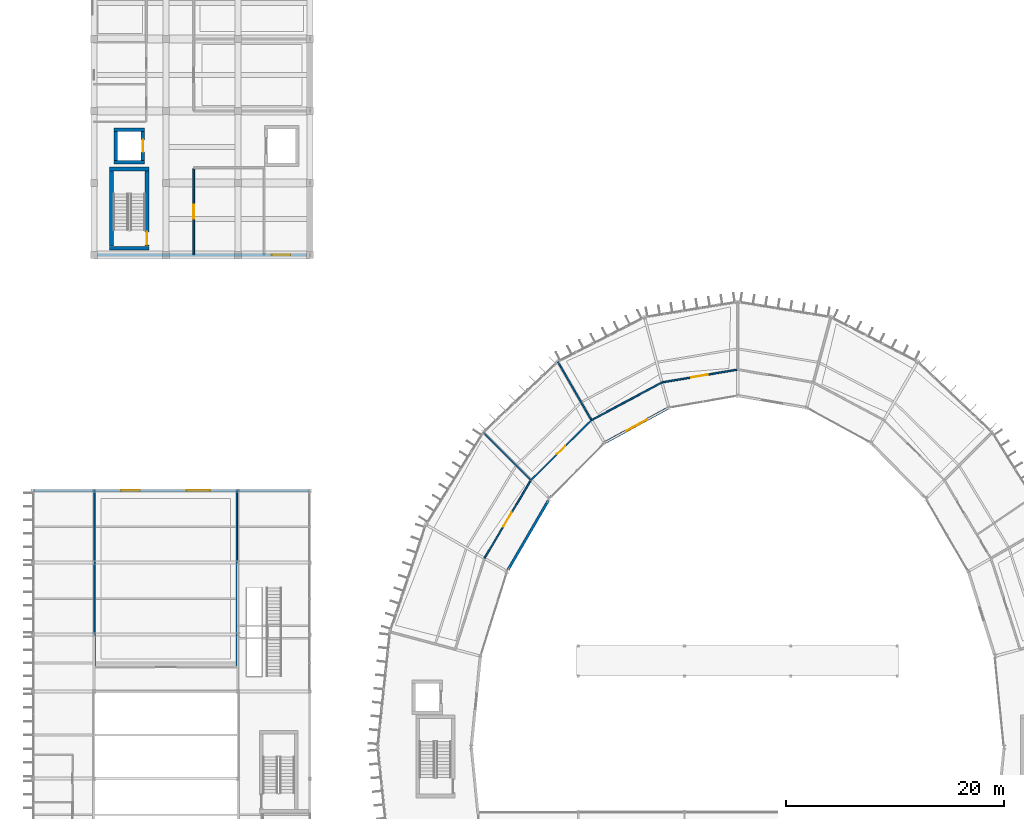
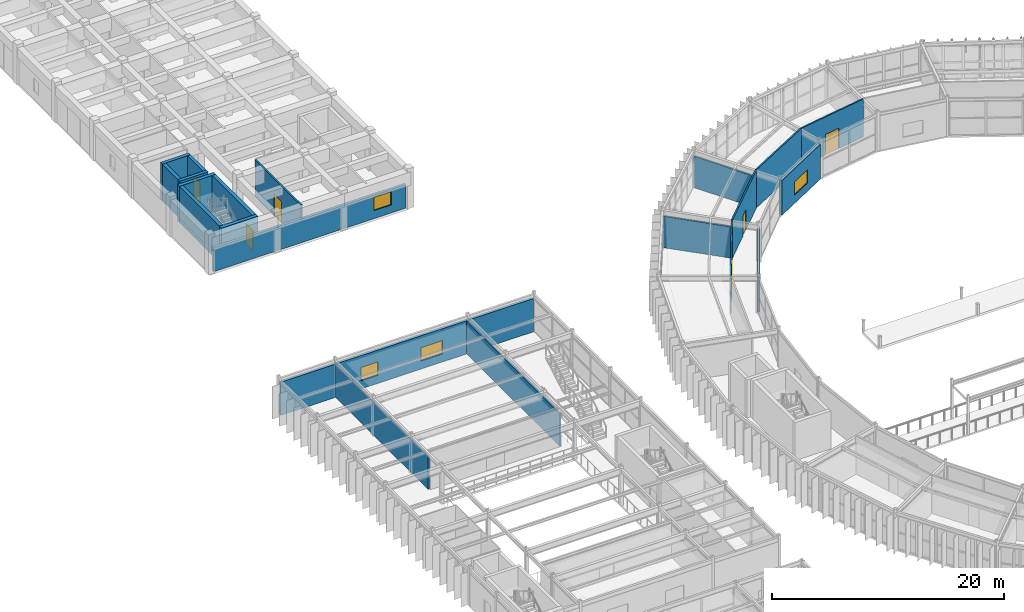
# One storey, part 127 of 147: 21 walls, 6 doors, 4 windows, 10 openings.
"""IFC4 building model written with IfcOpenShell, lengths in metres."""

from ifc_helpers import new_model, si_unit, direction, frame, frame_2d, origin, place, context, subcontext, project, spatial, rectangle, extrude, material, layer, layer_set, type_object, element, fill, save


model = new_model("IFC4")

# Units and contexts
model_context = context("Model", 3, precision=1e-05, world=origin(), true_north=direction((0.0, 1.0)))
body_context = subcontext(model_context, "Body", "Model", "MODEL_VIEW")
ifc_project = project(units=[si_unit("LENGTHUNIT", "METRE"), si_unit("AREAUNIT", "SQUARE_METRE"), si_unit("VOLUMEUNIT", "CUBIC_METRE"), si_unit("PLANEANGLEUNIT", "RADIAN"), si_unit("MASSUNIT", "GRAM", prefix="KILO")], contexts=[model_context])

# Site, building, storey
site_placement = place(None, origin())
site = spatial("IfcSite", under=ifc_project, at=site_placement, CompositionType="ELEMENT")
building_placement = place(site_placement, origin())
building = spatial("IfcBuilding", under=site, at=building_placement, Name="Karori Crest Natural Sciences Institute", CompositionType="ELEMENT")
storey_placement = place(building_placement, frame((0.0, 0.0, 9.10009765625)))
storey = spatial("IfcBuildingStorey", under=building, at=storey_placement, Name="L02", CompositionType="ELEMENT", Elevation=9.10009765625)

# Walls
ifc_material_1 = material(Name="Concrete 50 MPa", Category="concrete")
ifc_layer_1 = layer(ifc_material_1, 0.35009765625, Name="Concrete 50 MPa")
ifc_layer_set_1 = layer_set([ifc_layer_1], Name="Concrete 50 MPa")
wall_type_1 = type_object("IfcWallType", Name="IWT-02", PredefinedType="SHEAR", material=ifc_layer_set_1)
for number, where, z_axis, x_axis, name in (
    (1, (8.85009765625, 95.625, 0.0), (0.0, 0.0, 1.0), (1.0, 0.0, 0.0), "Shear wall IW-0177"),
    (2, (8.85009765625, 102.875, 0.0), (0.0, 0.0, 1.0), (1.0, 0.0, 0.0), "Shear wall IW-0178"),
):
    element("IfcWall", number, at=place(storey_placement, frame(where, z_axis=z_axis, x_axis=x_axis)), inside=storey, type_object=wall_type_1, Name=name, PredefinedType="SHEAR", context=body_context, shape_type="SweptSolid", body=[
        extrude(rectangle(XDim=3.599853515625, YDim=0.35009765625, at=frame_2d((1.7998046875, 0.0))), origin(), (0.0, 0.0, 1.0), 3.849853515625),
    ])
wall_1_placement = place(storey_placement, frame((9.02490234375, 95.802001953125, 0.0), z_axis=(0.0, 0.0, 1.0), x_axis=(0.0, 1.0, 0.0)))
element("IfcWall", 3, at=wall_1_placement, inside=storey, type_object=wall_type_1, Name="Shear wall IW-0179", PredefinedType="SHEAR", context=body_context, shape_type="SweptSolid", body=[
    extrude(rectangle(XDim=6.89599609375, YDim=0.35009765625, at=frame_2d((3.447998046875, 0.0))), origin(), (0.0, 0.0, 1.0), 3.849853515625),
])

# Wall, opening, door
wall_2_placement = place(storey_placement, frame((12.27490234375, 95.802001953125, 0.0), z_axis=(0.0, 0.0, 1.0), x_axis=(0.0, 1.0, 0.0)))
wall_2 = element("IfcWall", 4, at=wall_2_placement, inside=storey, type_object=wall_type_1, Name="Shear wall IW-0180", PredefinedType="SHEAR", context=body_context, shape_type="SweptSolid", body=[
    extrude(rectangle(XDim=6.89599609375, YDim=0.35009765625, at=frame_2d((3.447998046875, 0.0))), origin(), (0.0, 0.0, 1.0), 3.849853515625),
])
opening_1_placement = place(wall_2_placement, frame((0.1201171875, 0.0, 0.0)))
opening_1 = element("IfcOpeningElement", 5, at=opening_1_placement, cuts=wall_2, Name="Opening ID-0045", PredefinedType="OPENING", context=body_context, shape_type="SweptSolid", body=[
    extrude(rectangle(XDim=1.199951171875, YDim=2.14990234375, at=frame_2d((0.60009765625, 1.074951171875))), frame((0.0, 0.18505859375, 0.0), z_axis=(0.0, -1.0, 0.0), x_axis=(1.0, 0.0, 0.0)), (0.0, 0.0, 1.0), 0.3701171875),
])
ifc_material_2 = material(Name="Stainless steel 316 and fire-rated timber", Category="steel")
door_type_1 = type_object("IfcDoorType", Name="IDT-01", OperationType="NOTDEFINED", PredefinedType="DOOR", material=ifc_material_2)
door_1_placement = place(opening_1_placement, origin())
door_1 = element("IfcDoor", 6, at=door_1_placement, inside=storey, type_object=door_type_1, Name="Stair ST-05 fire door ID-0045", OperationType="SINGLE_SWING_LEFT", OverallHeight=2.14990234375, OverallWidth=1.199951171875, PredefinedType="DOOR", context=body_context, shape_type="SweptSolid", body=[
    extrude(rectangle(XDim=1.199951171875, YDim=2.14990234375, at=frame_2d((0.60009765625, 1.074951171875))), frame((0.0, 0.02490234375, 0.0), z_axis=(0.0, -1.0, 0.0), x_axis=(1.0, 0.0, 0.0)), (0.0, 0.0, 1.0), 0.050048828125),
])
fill(opening_1, door_1)

# Walls
ifc_layer_2 = layer(ifc_material_1, 0.320068359375, Name="Concrete 50 MPa")
ifc_layer_set_2 = layer_set([ifc_layer_2], Name="Concrete 50 MPa")
wall_type_2 = type_object("IfcWallType", Name="IWT-03", PredefinedType="SHEAR", material=ifc_layer_set_2)
for number, where, z_axis, x_axis, name in (
    (7, (9.2451171875, 103.5048828125, 0.0), (0.0, 0.0, 1.0), (1.0, 0.0, 0.0), "Shear wall IW-0499"),
    (8, (9.2451171875, 106.4951171875, 0.0), (0.0, 0.0, 1.0), (1.0, 0.0, 0.0), "Shear wall IW-0500"),
):
    element("IfcWall", number, at=place(storey_placement, frame(where, z_axis=z_axis, x_axis=x_axis)), inside=storey, type_object=wall_type_2, Name=name, PredefinedType="SHEAR", context=body_context, shape_type="SweptSolid", body=[
        extrude(rectangle(XDim=2.809814453125, YDim=0.320068359375, at=frame_2d((1.40478515625, 0.0))), origin(), (0.0, 0.0, 1.0), 3.849853515625),
    ])
wall_3_placement = place(storey_placement, frame((9.405029296875, 103.6669921875, 0.0), z_axis=(0.0, 0.0, 1.0), x_axis=(0.0, 1.0, 0.0)))
element("IfcWall", 9, at=wall_3_placement, inside=storey, type_object=wall_type_2, Name="Shear wall IW-0501", PredefinedType="SHEAR", context=body_context, shape_type="SweptSolid", body=[
    extrude(rectangle(XDim=2.666015625, YDim=0.320068359375, at=frame_2d((1.3330078125, 0.0))), origin(), (0.0, 0.0, 1.0), 3.849853515625),
])

# Wall, opening, door
wall_4_placement = place(storey_placement, frame((11.89501953125, 103.6669921875, 0.0), z_axis=(0.0, 0.0, 1.0), x_axis=(0.0, 1.0, 0.0)))
wall_4 = element("IfcWall", 10, at=wall_4_placement, inside=storey, type_object=wall_type_2, Name="Shear wall IW-0502", PredefinedType="SHEAR", context=body_context, shape_type="SweptSolid", body=[
    extrude(rectangle(XDim=2.666015625, YDim=0.320068359375, at=frame_2d((1.3330078125, 0.0))), origin(), (0.0, 0.0, 1.0), 3.849853515625),
])
opening_2_placement = place(wall_4_placement, frame((0.782958984375, 0.0, 0.0)))
opening_2 = element("IfcOpeningElement", 11, at=opening_2_placement, cuts=wall_4, Name="Opening LD-0051", PredefinedType="OPENING", context=body_context, shape_type="SweptSolid", body=[
    extrude(rectangle(XDim=1.10009765625, YDim=2.14990234375, at=frame_2d((0.550048828125, 1.074951171875))), frame((0.0, 0.169921875, 0.0), z_axis=(0.0, -1.0, 0.0), x_axis=(1.0, 0.0, 0.0)), (0.0, 0.0, 1.0), 0.340087890625),
])
door_type_2 = type_object("IfcDoorType", Name="LDT-01", OperationType="SLIDING_TO_LEFT", PredefinedType="DOOR", material=ifc_material_2)
door_2_placement = place(opening_2_placement, origin())
door_2 = element("IfcDoor", 12, at=door_2_placement, inside=storey, type_object=door_type_2, Name="Lift LP-04 landing door LD-0051", OperationType="SLIDING_TO_LEFT", OverallHeight=2.14990234375, OverallWidth=1.10009765625, PredefinedType="DOOR", context=body_context, shape_type="SweptSolid", body=[
    extrude(rectangle(XDim=1.10009765625, YDim=2.14990234375, at=frame_2d((0.550048828125, 1.074951171875))), frame((0.0, 0.02490234375, 0.0), z_axis=(0.0, -1.0, 0.0), x_axis=(1.0, 0.0, 0.0)), (0.0, 0.0, 1.0), 0.050048828125),
])
fill(opening_2, door_2)

ifc_material_3 = material(Name="Clean-room insulated fire partition")
ifc_layer_3 = layer(ifc_material_3, 0.14990234375, Name="Clean-room insulated fire partition")
ifc_layer_set_3 = layer_set([ifc_layer_3], Name="Clean-room insulated fire partition")
wall_type_3 = type_object("IfcWallType", Name="IWT-06", PredefinedType="PARTITIONING", material=ifc_layer_set_3)
wall_5_placement = place(storey_placement, frame((16.550048828125, 95.0, 0.0), z_axis=(0.0, 0.0, 1.0), x_axis=(0.0, 1.0, 0.0)))
wall_5 = element("IfcWall", 13, at=wall_5_placement, inside=storey, type_object=wall_type_3, Name="Partition wall IW-0970", PredefinedType="PARTITIONING", context=body_context, shape_type="SweptSolid", body=[
    extrude(rectangle(XDim=7.923095703125, YDim=0.14990234375, at=frame_2d((3.96142578125, 0.0))), origin(), (0.0, 0.0, 1.0), 3.849853515625),
])
opening_3_placement = place(wall_5_placement, frame((3.3115234375, 0.0, 0.0)))
opening_3 = element("IfcOpeningElement", 14, at=opening_3_placement, cuts=wall_5, Name="Opening ID-0257", PredefinedType="OPENING", context=body_context, shape_type="SweptSolid", body=[
    extrude(rectangle(XDim=1.300048828125, YDim=2.199951171875, at=frame_2d((0.64990234375, 1.10009765625))), frame((0.0, 0.0849609375, 0.0), z_axis=(0.0, -1.0, 0.0), x_axis=(1.0, 0.0, 0.0)), (0.0, 0.0, 1.0), 0.169921875),
])
door_type_3 = type_object("IfcDoorType", Name="IDT-04", OperationType="NOTDEFINED", PredefinedType="DOOR", material=ifc_material_2)
door_3_placement = place(opening_3_placement, origin())
door_3 = element("IfcDoor", 15, at=door_3_placement, inside=storey, type_object=door_type_3, Name="ISO Class 5 Lithography Clean Room door ID-0257", OperationType="SINGLE_SWING_LEFT", OverallHeight=2.199951171875, OverallWidth=1.300048828125, PredefinedType="DOOR", context=body_context, shape_type="SweptSolid", body=[
    extrude(rectangle(XDim=1.300048828125, YDim=2.199951171875, at=frame_2d((0.64990234375, 1.10009765625))), frame((0.0, 0.02490234375, 0.0), z_axis=(0.0, -1.0, 0.0), x_axis=(1.0, 0.0, 0.0)), (0.0, 0.0, 1.0), 0.050048828125),
])
fill(opening_3, door_3)

# Walls
ifc_material_4 = material(Name="Laboratory acoustic drywall partition")
ifc_layer_4 = layer(ifc_material_4, 0.139892578125, Name="Laboratory acoustic drywall partition")
ifc_layer_set_4 = layer_set([ifc_layer_4], Name="Laboratory acoustic drywall partition")
wall_type_4 = type_object("IfcWallType", Name="IWT-07", PredefinedType="PARTITIONING", material=ifc_layer_set_4)
wall_6_placement = place(storey_placement, frame((7.449951171875, 57.322021484375, 0.0), z_axis=(0.0, 0.0, 1.0), x_axis=(0.0, 1.0, 0.0)))
element("IfcWall", 16, at=wall_6_placement, inside=storey, type_object=wall_type_4, Name="Partition wall IW-1104", PredefinedType="PARTITIONING", context=body_context, shape_type="SweptSolid", body=[
    extrude(rectangle(XDim=16.077880859375, YDim=0.139892578125, at=frame_2d((8.0390625, 0.0))), origin(), (0.0, 0.0, 1.0), 3.44482421875),
])
wall_7_placement = place(storey_placement, frame((20.5, 57.25, 0.0), z_axis=(0.0, 0.0, 1.0), x_axis=(0.0, 1.0, 0.0)))
element("IfcWall", 17, at=wall_7_placement, inside=storey, type_object=wall_type_4, Name="Partition wall IW-1105", PredefinedType="PARTITIONING", context=body_context, shape_type="SweptSolid", body=[
    extrude(rectangle(XDim=16.14990234375, YDim=0.139892578125, at=frame_2d((8.074951171875, 0.0))), origin(), (0.0, 0.0, 1.0), 3.44482421875),
])

# Wall, opening, door
wall_8_placement = place(storey_placement, frame((66.327880859375, 84.48779296875, 0.0), z_axis=(0.0, 0.0, 1.0), x_axis=(-0.98586001765, -0.167570956905, 0.0)))
wall_8 = element("IfcWall", 18, at=wall_8_placement, inside=storey, type_object=wall_type_4, Name="Partition wall IW-1261", PredefinedType="PARTITIONING", context=body_context, shape_type="SweptSolid", body=[
    extrude(rectangle(XDim=6.962646484375, YDim=0.139892578125, at=frame_2d((3.4814453125, 0.0))), origin(), (0.0, 0.0, 1.0), 4.0),
])
opening_4_placement = place(wall_8_placement, frame((2.7314453125, 0.0, 0.0)))
opening_4 = element("IfcOpeningElement", 19, at=opening_4_placement, cuts=wall_8, Name="Opening ID-0388", PredefinedType="OPENING", context=body_context, shape_type="SweptSolid", body=[
    extrude(rectangle(XDim=1.5, YDim=2.14990234375, at=frame_2d((0.75, 1.074951171875))), frame((0.0, 0.080078125, 0.0), z_axis=(0.0, -1.0, 0.0), x_axis=(1.0, 0.0, 0.0)), (0.0, 0.0, 1.0), 0.159912109375),
])
door_type_4 = type_object("IfcDoorType", Name="IDT-05", OperationType="DOUBLE_DOOR_SINGLE_SWING", PredefinedType="DOOR", material=ifc_material_2)
door_4_placement = place(opening_4_placement, origin())
door_4 = element("IfcDoor", 20, at=door_4_placement, inside=storey, type_object=door_type_4, Name="Analytical Geochemistry Laboratory door ID-0388", OperationType="DOUBLE_DOOR_SINGLE_SWING", OverallHeight=2.14990234375, OverallWidth=1.5, PredefinedType="DOOR", context=body_context, shape_type="SweptSolid", body=[
    extrude(rectangle(XDim=1.5, YDim=2.14990234375, at=frame_2d((0.75, 1.074951171875))), frame((0.0, 0.02490234375, 0.0), z_axis=(0.0, -1.0, 0.0), x_axis=(1.0, 0.0, 0.0)), (0.0, 0.0, 1.0), 0.050048828125),
])
fill(opening_4, door_4)

# Walls
wall_9_placement = place(storey_placement, frame((59.4619140625, 83.320068359375, 0.0), z_axis=(0.0, 0.0, 1.0), x_axis=(-0.881830395915, -0.471566700309, 0.0)))
element("IfcWall", 21, at=wall_9_placement, inside=storey, type_object=wall_type_4, Name="Partition wall IW-1262", PredefinedType="PARTITIONING", context=body_context, shape_type="SweptSolid", body=[
    extrude(rectangle(XDim=7.327880859375, YDim=0.139892578125, at=frame_2d((3.6640625, 0.0))), origin(), (0.0, 0.0, 1.0), 4.0),
])
wall_10_placement = place(storey_placement, frame((52.9599609375, 79.933837890625, 0.0), z_axis=(0.0, 0.0, 1.0), x_axis=(-0.500008418462, 0.866020543329, 0.0)))
element("IfcWall", 22, at=wall_10_placement, inside=storey, type_object=wall_type_4, Name="Partition wall IW-1263", PredefinedType="PARTITIONING", context=body_context, shape_type="SweptSolid", body=[
    extrude(rectangle(XDim=6.06005859375, YDim=0.139892578125, at=frame_2d((3.030029296875, 0.0))), origin(), (0.0, 0.0, 1.0), 3.31298828125),
])

# Wall, opening, door
wall_11_placement = place(storey_placement, frame((52.99853515625, 79.863037109375, 0.0), z_axis=(0.0, 0.0, 1.0), x_axis=(-0.710427757183, -0.703770134222, 0.0)))
wall_11 = element("IfcWall", 23, at=wall_11_placement, inside=storey, type_object=wall_type_4, Name="Partition wall IW-1264", PredefinedType="PARTITIONING", context=body_context, shape_type="SweptSolid", body=[
    extrude(rectangle(XDim=7.810791015625, YDim=0.139892578125, at=frame_2d((3.9052734375, 0.0))), origin(), (0.0, 0.0, 1.0), 4.0),
])
opening_5_placement = place(wall_11_placement, frame((3.380615234375, 0.0, 0.0)))
opening_5 = element("IfcOpeningElement", 24, at=opening_5_placement, cuts=wall_11, Name="Opening ID-0389", PredefinedType="OPENING", context=body_context, shape_type="SweptSolid", body=[
    extrude(rectangle(XDim=1.050048828125, YDim=2.14990234375, at=frame_2d((0.52490234375, 1.074951171875))), frame((0.0, 0.080078125, 0.0), z_axis=(0.0, -1.0, 0.0), x_axis=(1.0, 0.0, 0.0)), (0.0, 0.0, 1.0), 0.159912109375),
])
door_type_5 = type_object("IfcDoorType", Name="IDT-03", OperationType="NOTDEFINED", PredefinedType="DOOR", material=ifc_material_2)
door_5_placement = place(opening_5_placement, origin())
door_5 = element("IfcDoor", 25, at=door_5_placement, inside=storey, type_object=door_type_5, Name="Molecular Ecology Wet Laboratory door ID-0389", OperationType="SINGLE_SWING_LEFT", OverallHeight=2.14990234375, OverallWidth=1.050048828125, PredefinedType="DOOR", context=body_context, shape_type="SweptSolid", body=[
    extrude(rectangle(XDim=1.050048828125, YDim=2.14990234375, at=frame_2d((0.52490234375, 1.074951171875))), frame((0.0, 0.02490234375, 0.0), z_axis=(0.0, -1.0, 0.0), x_axis=(1.0, 0.0, 0.0)), (0.0, 0.0, 1.0), 0.050048828125),
])
fill(opening_5, door_5)

# Wall
wall_12_placement = place(storey_placement, frame((47.392822265625, 74.422607421875, 0.0), z_axis=(0.0, 0.0, 1.0), x_axis=(-0.707106781187, 0.707106781187, 0.0)))
element("IfcWall", 26, at=wall_12_placement, inside=storey, type_object=wall_type_4, Name="Partition wall IW-1265", PredefinedType="PARTITIONING", context=body_context, shape_type="SweptSolid", body=[
    extrude(rectangle(XDim=6.059814453125, YDim=0.139892578125, at=frame_2d((3.02978515625, 0.0))), origin(), (0.0, 0.0, 1.0), 3.322998046875),
])

# Wall, opening, door
wall_13_placement = place(storey_placement, frame((47.41162109375, 74.302001953125, 0.0), z_axis=(0.0, 0.0, 1.0), x_axis=(-0.51092787214, -0.85962358592, 0.0)))
wall_13 = element("IfcWall", 27, at=wall_13_placement, inside=storey, type_object=wall_type_4, Name="Partition wall IW-1266", PredefinedType="PARTITIONING", context=body_context, shape_type="SweptSolid", body=[
    extrude(rectangle(XDim=8.26171875, YDim=0.139892578125, at=frame_2d((4.130859375, 0.0))), origin(), (0.0, 0.0, 1.0), 4.0),
])
opening_6_placement = place(wall_13_placement, frame((3.380859375, 0.0, 0.0)))
opening_6 = element("IfcOpeningElement", 28, at=opening_6_placement, cuts=wall_13, Name="Opening ID-0390", PredefinedType="OPENING", context=body_context, shape_type="SweptSolid", body=[
    extrude(rectangle(XDim=1.5, YDim=2.14990234375, at=frame_2d((0.75, 1.074951171875))), frame((0.0, 0.080078125, 0.0), z_axis=(0.0, -1.0, 0.0), x_axis=(1.0, 0.0, 0.0)), (0.0, 0.0, 1.0), 0.159912109375),
])
door_6_placement = place(opening_6_placement, origin())
door_6 = element("IfcDoor", 29, at=door_6_placement, inside=storey, type_object=door_type_4, Name="Wet Biology Laboratory door ID-0390", OperationType="DOUBLE_DOOR_SINGLE_SWING", OverallHeight=2.14990234375, OverallWidth=1.5, PredefinedType="DOOR", context=body_context, shape_type="SweptSolid", body=[
    extrude(rectangle(XDim=1.5, YDim=2.14990234375, at=frame_2d((0.75, 1.074951171875))), frame((0.0, 0.02490234375, 0.0), z_axis=(0.0, -1.0, 0.0), x_axis=(1.0, 0.0, 0.0)), (0.0, 0.0, 1.0), 0.050048828125),
])
fill(opening_6, door_6)

# Wall, opening, window
ifc_material_5 = material(Name="Precast concrete 40 MPa", Category="concrete")
ifc_layer_5 = layer(ifc_material_5, 0.260009765625, Name="Precast concrete 40 MPa")
ifc_layer_set_5 = layer_set([ifc_layer_5], Name="Precast concrete 40 MPa")
wall_type_5 = type_object("IfcWallType", Name="WT-03", PredefinedType="SOLIDWALL", material=ifc_layer_set_5)
wall_14_placement = place(storey_placement, frame((26.876953125, 95.0, 0.0), z_axis=(0.0, 0.0, 1.0), x_axis=(-1.0, 0.0, 0.0)))
wall_14 = element("IfcWall", 30, at=wall_14_placement, inside=storey, type_object=wall_type_5, Name="Exterior wall EW-0168", PredefinedType="SOLIDWALL", context=body_context, shape_type="SweptSolid", body=[
    extrude(rectangle(XDim=19.154052734375, YDim=0.260009765625, at=frame_2d((9.5771484375, 0.0))), origin(), (0.0, 0.0, 1.0), 2.47998046875),
])
opening_7_placement = place(wall_14_placement, frame((1.47705078125, 0.0, 0.85009765625)))
opening_7 = element("IfcOpeningElement", 31, at=opening_7_placement, cuts=wall_14, Name="Opening WN-0109", PredefinedType="OPENING", context=body_context, shape_type="SweptSolid", body=[
    extrude(rectangle(XDim=1.699951171875, YDim=1.39990234375, at=frame_2d((0.85009765625, 0.699951171875))), frame((0.0, 0.14013671875, 0.0), z_axis=(0.0, -1.0, 0.0), x_axis=(1.0, 0.0, 0.0)), (0.0, 0.0, 1.0), 0.280029296875),
])
ifc_material_6 = material(Name="Double low-E laminated glass", Category="glass")
window_type_1 = type_object("IfcWindowType", Name="WNT-05", PartitioningType="SINGLE_PANEL", PredefinedType="WINDOW", material=ifc_material_6)
window_1_placement = place(opening_7_placement, origin())
window_1 = element("IfcWindow", 32, at=window_1_placement, inside=storey, type_object=window_type_1, Name="Window WN-0109", OverallHeight=1.39990234375, OverallWidth=1.699951171875, PartitioningType="SINGLE_PANEL", PredefinedType="WINDOW", context=body_context, shape_type="SweptSolid", body=[
    extrude(rectangle(XDim=1.699951171875, YDim=1.39990234375, at=frame_2d((0.85009765625, 0.699951171875))), frame((0.0, 0.030029296875, 0.0), z_axis=(0.0, -1.0, 0.0), x_axis=(1.0, 0.0, 0.0)), (0.0, 0.0, 1.0), 0.06005859375),
])
fill(opening_7, window_1)

ifc_layer_6 = layer(ifc_material_5, 0.239990234375, Name="Precast concrete 40 MPa")
ifc_layer_set_6 = layer_set([ifc_layer_6], Name="Precast concrete 40 MPa")
wall_type_6 = type_object("IfcWallType", Name="WT-04", PredefinedType="SOLIDWALL", material=ifc_layer_set_6)
wall_15_placement = place(storey_placement, frame((59.93408203125, 80.92041015625, 0.0), z_axis=(0.0, 0.0, 1.0), x_axis=(-0.877463709328, -0.479643032695, 0.0)))
wall_15 = element("IfcWall", 33, at=wall_15_placement, inside=storey, type_object=wall_type_6, Name="Exterior wall EW-0054", PredefinedType="SOLIDWALL", context=body_context, shape_type="SweptSolid", body=[
    extrude(rectangle(XDim=6.400146484375, YDim=0.239990234375, at=frame_2d((3.2001953125, 0.0))), origin(), (0.0, 0.0, 1.0), 3.64990234375),
])
opening_8_placement = place(wall_15_placement, frame((2.125244140625, 0.0, 0.85009765625)))
opening_8 = element("IfcOpeningElement", 34, at=opening_8_placement, cuts=wall_15, Name="Opening WN-0017", PredefinedType="OPENING", context=body_context, shape_type="SweptSolid", body=[
    extrude(rectangle(XDim=2.14990234375, YDim=1.39990234375, at=frame_2d((1.074951171875, 0.699951171875))), frame((0.0, 0.1298828125, 0.0), z_axis=(0.0, -1.0, 0.0), x_axis=(1.0, 0.0, 0.0)), (0.0, 0.0, 1.0), 0.260009765625),
])
window_type_2 = type_object("IfcWindowType", Name="WNT-08", PartitioningType="SINGLE_PANEL", PredefinedType="WINDOW", material=ifc_material_6)
window_2_placement = place(opening_8_placement, origin())
window_2 = element("IfcWindow", 35, at=window_2_placement, inside=storey, type_object=window_type_2, Name="Window WN-0017", OverallHeight=1.39990234375, OverallWidth=2.14990234375, PartitioningType="SINGLE_PANEL", PredefinedType="WINDOW", context=body_context, shape_type="SweptSolid", body=[
    extrude(rectangle(XDim=2.14990234375, YDim=1.39990234375, at=frame_2d((1.074951171875, 0.699951171875))), frame((0.0, 0.030029296875, 0.0), z_axis=(0.0, -1.0, 0.0), x_axis=(1.0, 0.0, 0.0)), (0.0, 0.0, 1.0), 0.06005859375),
])
fill(opening_8, window_2)

# Wall
wall_16_placement = place(storey_placement, frame((49.055908203125, 72.512939453125, 0.0), z_axis=(0.0, 0.0, 1.0), x_axis=(-0.502653329169, -0.86448807434, 0.0)))
element("IfcWall", 36, at=wall_16_placement, inside=storey, type_object=wall_type_6, Name="Exterior wall EW-0055", PredefinedType="SOLIDWALL", context=body_context, shape_type="SweptSolid", body=[
    extrude(rectangle(XDim=7.35791015625, YDim=0.239990234375, at=frame_2d((3.678955078125, 0.0))), origin(), (0.0, 0.0, 1.0), 3.64990234375),
])

# Wall, openings, windows
wall_17_placement = place(storey_placement, frame((1.923095703125, 73.39990234375, 0.0), z_axis=(0.0, 0.0, 1.0), x_axis=(1.0, 0.0, 0.0)))
wall_17 = element("IfcWall", 37, at=wall_17_placement, inside=storey, type_object=wall_type_6, Name="Exterior wall EW-0142", PredefinedType="SOLIDWALL", context=body_context, shape_type="SweptSolid", body=[
    extrude(rectangle(XDim=25.15380859375, YDim=0.239990234375, at=frame_2d((12.576904296875, 0.0))), origin(), (0.0, 0.0, 1.0), 3.5048828125),
])
opening_9_placement = place(wall_17_placement, frame((7.97705078125, 0.0, 0.85009765625)))
opening_9 = element("IfcOpeningElement", 38, at=opening_9_placement, cuts=wall_17, Name="Opening WN-0081", PredefinedType="OPENING", context=body_context, shape_type="SweptSolid", body=[
    extrude(rectangle(XDim=1.699951171875, YDim=1.39990234375, at=frame_2d((0.85009765625, 0.699951171875))), frame((0.0, 0.1298828125, 0.0), z_axis=(0.0, -1.0, 0.0), x_axis=(1.0, 0.0, 0.0)), (0.0, 0.0, 1.0), 0.260009765625),
])
opening_10_placement = place(wall_17_placement, frame((13.97705078125, 0.0, 0.85009765625)))
opening_10 = element("IfcOpeningElement", 39, at=opening_10_placement, cuts=wall_17, Name="Opening WN-0082", PredefinedType="OPENING", context=body_context, shape_type="SweptSolid", body=[
    extrude(rectangle(XDim=2.14990234375, YDim=1.39990234375, at=frame_2d((1.074951171875, 0.699951171875))), frame((0.0, 0.1298828125, 0.0), z_axis=(0.0, -1.0, 0.0), x_axis=(1.0, 0.0, 0.0)), (0.0, 0.0, 1.0), 0.260009765625),
])
window_3_placement = place(opening_9_placement, origin())
window_3 = element("IfcWindow", 40, at=window_3_placement, inside=storey, type_object=window_type_1, Name="Window WN-0081", OverallHeight=1.39990234375, OverallWidth=1.699951171875, PartitioningType="SINGLE_PANEL", PredefinedType="WINDOW", context=body_context, shape_type="SweptSolid", body=[
    extrude(rectangle(XDim=1.699951171875, YDim=1.39990234375, at=frame_2d((0.85009765625, 0.699951171875))), frame((0.0, 0.030029296875, 0.0), z_axis=(0.0, -1.0, 0.0), x_axis=(1.0, 0.0, 0.0)), (0.0, 0.0, 1.0), 0.06005859375),
])
fill(opening_9, window_3)
window_4_placement = place(opening_10_placement, origin())
window_4 = element("IfcWindow", 41, at=window_4_placement, inside=storey, type_object=window_type_2, Name="Window WN-0082", OverallHeight=1.39990234375, OverallWidth=2.14990234375, PartitioningType="SINGLE_PANEL", PredefinedType="WINDOW", context=body_context, shape_type="SweptSolid", body=[
    extrude(rectangle(XDim=2.14990234375, YDim=1.39990234375, at=frame_2d((1.074951171875, 0.699951171875))), frame((0.0, 0.030029296875, 0.0), z_axis=(0.0, -1.0, 0.0), x_axis=(1.0, 0.0, 0.0)), (0.0, 0.0, 1.0), 0.06005859375),
])
fill(opening_10, window_4)

save(model, "model.ifc")
